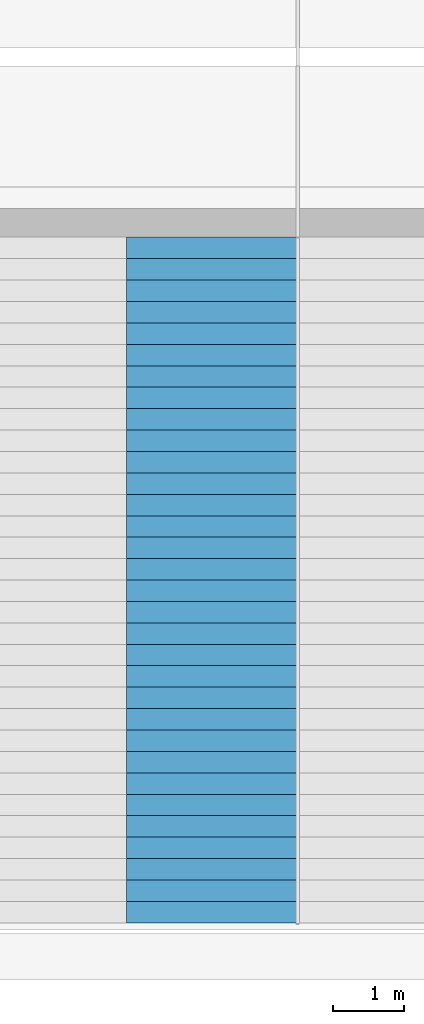
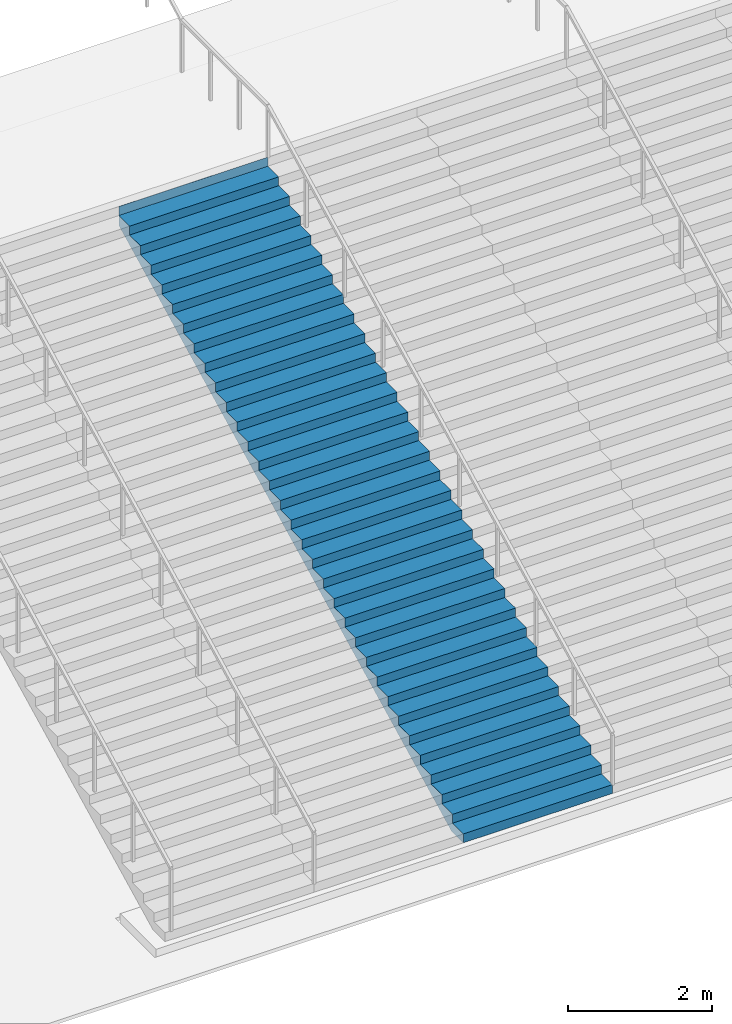
# One storey, part 32 of 57: 1 stair flight, 1 element without a shape of its own.
"""IFC4 building model written with IfcOpenShell, lengths in metres."""

from ifc_helpers import new_model, si_unit, direction, frame, origin, place, context, subcontext, project, spatial, triangles, material, type_object, element, aggregate, save


model = new_model("IFC4")

# Units and contexts
model_context = context("Model", 3, precision=1e-05, world=origin(), true_north=direction((0.0, 1.0)))
body_context = subcontext(model_context, "Body", "Model", "MODEL_VIEW")
ifc_project = project(units=[si_unit("LENGTHUNIT", "METRE"), si_unit("AREAUNIT", "SQUARE_METRE"), si_unit("VOLUMEUNIT", "CUBIC_METRE"), si_unit("PLANEANGLEUNIT", "RADIAN"), si_unit("MASSUNIT", "GRAM", prefix="KILO")], contexts=[model_context])

# Site, building, storey
site_placement = place(None, origin())
site = spatial("IfcSite", under=ifc_project, at=site_placement, CompositionType="ELEMENT")
building_placement = place(site_placement, origin())
building = spatial("IfcBuilding", under=site, at=building_placement, Name="Beryl Residences", CompositionType="ELEMENT")
storey_placement = place(building_placement, origin())
storey = spatial("IfcBuildingStorey", under=building, at=storey_placement, Name="L00", CompositionType="ELEMENT", Elevation=0.0)

# Stair, stair flight
ifc_material_1 = material(Name="Precast concrete C40/50", Category="concrete")
stair_type = type_object("IfcStairType", Name="GS1 garden stair", PredefinedType="STRAIGHT_RUN_STAIR", material=ifc_material_1)
stair_placement = place(storey_placement, origin())
stair = element("IfcStair", 1, at=stair_placement, inside=storey, type_object=stair_type, Name="GS1 garden stair", PredefinedType="STRAIGHT_RUN_STAIR")
ifc_material_2 = material(Name="Precast concrete C40/50", Category="concrete")
stair_flight_type = type_object("IfcStairFlightType", Name="GF1 garden stair flight", PredefinedType="STRAIGHT", material=ifc_material_2)
stair_flight_placement = place(storey_placement, frame((-6.0, -54.199951171875, 0.0), z_axis=(0.0, 0.0, 1.0), x_axis=(0.0, 1.0, 0.0)))
stair_flight = element("IfcStairFlight", 2, at=stair_flight_placement, type_object=stair_flight_type, Name="GS1 flight 3", NumberOfRisers=33, NumberOfTreads=32, PredefinedType="STRAIGHT", RiserHeight=0.151515152, TreadLength=0.3, context=body_context, shape_type="Tessellation", body=[
    triangles([(0.0, -1.199951171875, 0.0), (0.0, -0.60009765625, 0.0), (0.0, 0.0, 0.0), (0.0, 0.60009765625, 0.0), (0.0, 1.199951171875, 0.0), (0.0, -1.199951171875, 0.151611328125), (0.0, -0.60009765625, 0.151611328125), (0.0, 0.0, 0.151611328125), (0.0, 0.60009765625, 0.151611328125), (0.0, 1.199951171875, 0.151611328125), (0.300048828125, -1.199951171875, 0.151611328125), (0.300048828125, -0.60009765625, 0.151611328125), (0.300048828125, 0.0, 0.151611328125), (0.300048828125, 0.60009765625, 0.151611328125), (0.300048828125, 1.199951171875, 0.151611328125), (0.300048828125, -1.199951171875, 0.302978515625), (0.300048828125, -0.60009765625, 0.302978515625), (0.300048828125, 0.0, 0.302978515625), (0.300048828125, 0.60009765625, 0.302978515625), (0.300048828125, 1.199951171875, 0.302978515625), (0.60009765625, -1.199951171875, 0.302978515625), (0.60009765625, -0.60009765625, 0.302978515625), (0.60009765625, 0.0, 0.302978515625), (0.60009765625, 0.60009765625, 0.302978515625), (0.60009765625, 1.199951171875, 0.302978515625), (0.60009765625, -1.199951171875, 0.45458984375), (0.60009765625, -0.60009765625, 0.45458984375), (0.60009765625, 0.0, 0.45458984375), (0.60009765625, 0.60009765625, 0.45458984375), (0.60009765625, 1.199951171875, 0.45458984375), (0.89990234375, -1.199951171875, 0.45458984375), (0.89990234375, -0.60009765625, 0.45458984375), (0.89990234375, 0.0, 0.45458984375), (0.89990234375, 0.60009765625, 0.45458984375), (0.89990234375, 1.199951171875, 0.45458984375), (0.89990234375, -1.199951171875, 0.60595703125), (0.89990234375, -0.60009765625, 0.60595703125), (0.89990234375, 0.0, 0.60595703125), (0.89990234375, 0.60009765625, 0.60595703125), (0.89990234375, 1.199951171875, 0.60595703125), (1.199951171875, -1.199951171875, 0.60595703125), (1.199951171875, -0.60009765625, 0.60595703125), (1.199951171875, 0.0, 0.60595703125), (1.199951171875, 0.60009765625, 0.60595703125), (1.199951171875, 1.199951171875, 0.60595703125), (1.199951171875, -1.199951171875, 0.757568359375), (1.199951171875, -0.60009765625, 0.757568359375), (1.199951171875, 0.0, 0.757568359375), (1.199951171875, 0.60009765625, 0.757568359375), (1.199951171875, 1.199951171875, 0.757568359375), (1.5, -1.199951171875, 0.757568359375), (1.5, -0.60009765625, 0.757568359375), (1.5, 0.0, 0.757568359375), (1.5, 0.60009765625, 0.757568359375), (1.5, 1.199951171875, 0.757568359375), (1.5, -1.199951171875, 0.9091796875), (1.5, -0.60009765625, 0.9091796875), (1.5, 0.0, 0.9091796875), (1.5, 0.60009765625, 0.9091796875), (1.5, 1.199951171875, 0.9091796875), (1.800048828125, -1.199951171875, 0.9091796875), (1.800048828125, -0.60009765625, 0.9091796875), (1.800048828125, 0.0, 0.9091796875), (1.800048828125, 0.60009765625, 0.9091796875), (1.800048828125, 1.199951171875, 0.9091796875), (1.800048828125, -1.199951171875, 1.060546875), (1.800048828125, -0.60009765625, 1.060546875), (1.800048828125, 0.0, 1.060546875), (1.800048828125, 0.60009765625, 1.060546875), (1.800048828125, 1.199951171875, 1.060546875), (2.10009765625, -1.199951171875, 1.060546875), (2.10009765625, -0.60009765625, 1.060546875), (2.10009765625, 0.0, 1.060546875), (2.10009765625, 0.60009765625, 1.060546875), (2.10009765625, 1.199951171875, 1.060546875), (2.10009765625, -1.199951171875, 1.212158203125), (2.10009765625, -0.60009765625, 1.212158203125), (2.10009765625, 0.0, 1.212158203125), (2.10009765625, 0.60009765625, 1.212158203125), (2.10009765625, 1.199951171875, 1.212158203125), (2.39990234375, -1.199951171875, 1.212158203125), (2.39990234375, -0.60009765625, 1.212158203125), (2.39990234375, 0.0, 1.212158203125), (2.39990234375, 0.60009765625, 1.212158203125), (2.39990234375, 1.199951171875, 1.212158203125), (2.39990234375, -1.199951171875, 1.363525390625), (2.39990234375, -0.60009765625, 1.363525390625), (2.39990234375, 0.0, 1.363525390625), (2.39990234375, 0.60009765625, 1.363525390625), (2.39990234375, 1.199951171875, 1.363525390625), (2.699951171875, -1.199951171875, 1.363525390625), (2.699951171875, -0.60009765625, 1.363525390625), (2.699951171875, 0.0, 1.363525390625), (2.699951171875, 0.60009765625, 1.363525390625), (2.699951171875, 1.199951171875, 1.363525390625), (2.699951171875, -1.199951171875, 1.51513671875), (2.699951171875, -0.60009765625, 1.51513671875), (2.699951171875, 0.0, 1.51513671875), (2.699951171875, 0.60009765625, 1.51513671875), (2.699951171875, 1.199951171875, 1.51513671875), (3.0, -1.199951171875, 1.51513671875), (3.0, -0.60009765625, 1.51513671875), (3.0, 0.0, 1.51513671875), (3.0, 0.60009765625, 1.51513671875), (3.0, 1.199951171875, 1.51513671875), (3.0, -1.199951171875, 1.666748046875), (3.0, -0.60009765625, 1.666748046875), (3.0, 0.0, 1.666748046875), (3.0, 0.60009765625, 1.666748046875), (3.0, 1.199951171875, 1.666748046875), (3.300048828125, -1.199951171875, 1.666748046875), (3.300048828125, -0.60009765625, 1.666748046875), (3.300048828125, 0.0, 1.666748046875), (3.300048828125, 0.60009765625, 1.666748046875), (3.300048828125, 1.199951171875, 1.666748046875), (3.300048828125, -1.199951171875, 1.818115234375), (3.300048828125, -0.60009765625, 1.818115234375), (3.300048828125, 0.0, 1.818115234375), (3.300048828125, 0.60009765625, 1.818115234375), (3.300048828125, 1.199951171875, 1.818115234375), (3.60009765625, -1.199951171875, 1.818115234375), (3.60009765625, -0.60009765625, 1.818115234375), (3.60009765625, 0.0, 1.818115234375), (3.60009765625, 0.60009765625, 1.818115234375), (3.60009765625, 1.199951171875, 1.818115234375), (3.60009765625, -1.199951171875, 1.9697265625), (3.60009765625, -0.60009765625, 1.9697265625), (3.60009765625, 0.0, 1.9697265625), (3.60009765625, 0.60009765625, 1.9697265625), (3.60009765625, 1.199951171875, 1.9697265625), (3.89990234375, -1.199951171875, 1.9697265625), (3.89990234375, -0.60009765625, 1.9697265625), (3.89990234375, 0.0, 1.9697265625), (3.89990234375, 0.60009765625, 1.9697265625), (3.89990234375, 1.199951171875, 1.9697265625), (3.89990234375, -1.199951171875, 2.12109375), (3.89990234375, -0.60009765625, 2.12109375), (3.89990234375, 0.0, 2.12109375), (3.89990234375, 0.60009765625, 2.12109375), (3.89990234375, 1.199951171875, 2.12109375), (4.199951171875, -1.199951171875, 2.12109375), (4.199951171875, -0.60009765625, 2.12109375), (4.199951171875, 0.0, 2.12109375), (4.199951171875, 0.60009765625, 2.12109375), (4.199951171875, 1.199951171875, 2.12109375), (4.199951171875, -1.199951171875, 2.272705078125), (4.199951171875, -0.60009765625, 2.272705078125), (4.199951171875, 0.0, 2.272705078125), (4.199951171875, 0.60009765625, 2.272705078125), (4.199951171875, 1.199951171875, 2.272705078125), (4.5, -1.199951171875, 2.272705078125), (4.5, -0.60009765625, 2.272705078125), (4.5, 0.0, 2.272705078125), (4.5, 0.60009765625, 2.272705078125), (4.5, 1.199951171875, 2.272705078125), (4.5, -1.199951171875, 2.42431640625), (4.5, -0.60009765625, 2.42431640625), (4.5, 0.0, 2.42431640625), (4.5, 0.60009765625, 2.42431640625), (4.5, 1.199951171875, 2.42431640625), (4.800048828125, -1.199951171875, 2.42431640625), (4.800048828125, -0.60009765625, 2.42431640625), (4.800048828125, 0.0, 2.42431640625), (4.800048828125, 0.60009765625, 2.42431640625), (4.800048828125, 1.199951171875, 2.42431640625), (4.800048828125, -1.199951171875, 2.57568359375), (4.800048828125, -0.60009765625, 2.57568359375), (4.800048828125, 0.0, 2.57568359375), (4.800048828125, 0.60009765625, 2.57568359375), (4.800048828125, 1.199951171875, 2.57568359375), (5.10009765625, -1.199951171875, 2.57568359375), (5.10009765625, -0.60009765625, 2.57568359375), (5.10009765625, 0.0, 2.57568359375), (5.10009765625, 0.60009765625, 2.57568359375), (5.10009765625, 1.199951171875, 2.57568359375), (5.10009765625, -1.199951171875, 2.727294921875), (5.10009765625, -0.60009765625, 2.727294921875), (5.10009765625, 0.0, 2.727294921875), (5.10009765625, 0.60009765625, 2.727294921875), (5.10009765625, 1.199951171875, 2.727294921875), (5.39990234375, -1.199951171875, 2.727294921875), (5.39990234375, -0.60009765625, 2.727294921875), (5.39990234375, 0.0, 2.727294921875), (5.39990234375, 0.60009765625, 2.727294921875), (5.39990234375, 1.199951171875, 2.727294921875), (5.39990234375, -1.199951171875, 2.87890625), (5.39990234375, -0.60009765625, 2.87890625), (5.39990234375, 0.0, 2.87890625), (5.39990234375, 0.60009765625, 2.87890625), (5.39990234375, 1.199951171875, 2.87890625), (5.699951171875, -1.199951171875, 2.87890625), (5.699951171875, -0.60009765625, 2.87890625), (5.699951171875, 0.0, 2.87890625), (5.699951171875, 0.60009765625, 2.87890625), (5.699951171875, 1.199951171875, 2.87890625), (5.699951171875, -1.199951171875, 3.0302734375), (5.699951171875, -0.60009765625, 3.0302734375), (5.699951171875, 0.0, 3.0302734375), (5.699951171875, 0.60009765625, 3.0302734375), (5.699951171875, 1.199951171875, 3.0302734375), (6.0, -1.199951171875, 3.0302734375), (6.0, -0.60009765625, 3.0302734375), (6.0, 0.0, 3.0302734375), (6.0, 0.60009765625, 3.0302734375), (6.0, 1.199951171875, 3.0302734375), (6.0, -1.199951171875, 3.181884765625), (6.0, -0.60009765625, 3.181884765625), (6.0, 0.0, 3.181884765625), (6.0, 0.60009765625, 3.181884765625), (6.0, 1.199951171875, 3.181884765625), (6.300048828125, -1.199951171875, 3.181884765625), (6.300048828125, -0.60009765625, 3.181884765625), (6.300048828125, 0.0, 3.181884765625), (6.300048828125, 0.60009765625, 3.181884765625), (6.300048828125, 1.199951171875, 3.181884765625), (6.300048828125, -1.199951171875, 3.333251953125), (6.300048828125, -0.60009765625, 3.333251953125), (6.300048828125, 0.0, 3.333251953125), (6.300048828125, 0.60009765625, 3.333251953125), (6.300048828125, 1.199951171875, 3.333251953125), (6.60009765625, -1.199951171875, 3.333251953125), (6.60009765625, -0.60009765625, 3.333251953125), (6.60009765625, 0.0, 3.333251953125), (6.60009765625, 0.60009765625, 3.333251953125), (6.60009765625, 1.199951171875, 3.333251953125), (6.60009765625, -1.199951171875, 3.48486328125), (6.60009765625, -0.60009765625, 3.48486328125), (6.60009765625, 0.0, 3.48486328125), (6.60009765625, 0.60009765625, 3.48486328125), (6.60009765625, 1.199951171875, 3.48486328125), (6.89990234375, -1.199951171875, 3.48486328125), (6.89990234375, -0.60009765625, 3.48486328125), (6.89990234375, 0.0, 3.48486328125), (6.89990234375, 0.60009765625, 3.48486328125), (6.89990234375, 1.199951171875, 3.48486328125), (6.89990234375, -1.199951171875, 3.636474609375), (6.89990234375, -0.60009765625, 3.636474609375), (6.89990234375, 0.0, 3.636474609375), (6.89990234375, 0.60009765625, 3.636474609375), (6.89990234375, 1.199951171875, 3.636474609375), (7.199951171875, -1.199951171875, 3.636474609375), (7.199951171875, -0.60009765625, 3.636474609375), (7.199951171875, 0.0, 3.636474609375), (7.199951171875, 0.60009765625, 3.636474609375), (7.199951171875, 1.199951171875, 3.636474609375), (7.199951171875, -1.199951171875, 3.787841796875), (7.199951171875, -0.60009765625, 3.787841796875), (7.199951171875, 0.0, 3.787841796875), (7.199951171875, 0.60009765625, 3.787841796875), (7.199951171875, 1.199951171875, 3.787841796875), (7.5, -1.199951171875, 3.787841796875), (7.5, -0.60009765625, 3.787841796875), (7.5, 0.0, 3.787841796875), (7.5, 0.60009765625, 3.787841796875), (7.5, 1.199951171875, 3.787841796875), (7.5, -1.199951171875, 3.939453125), (7.5, -0.60009765625, 3.939453125), (7.5, 0.0, 3.939453125), (7.5, 0.60009765625, 3.939453125), (7.5, 1.199951171875, 3.939453125), (7.800048828125, -1.199951171875, 3.939453125), (7.800048828125, -0.60009765625, 3.939453125), (7.800048828125, 0.0, 3.939453125), (7.800048828125, 0.60009765625, 3.939453125), (7.800048828125, 1.199951171875, 3.939453125), (7.800048828125, -1.199951171875, 4.0908203125), (7.800048828125, -0.60009765625, 4.0908203125), (7.800048828125, 0.0, 4.0908203125), (7.800048828125, 0.60009765625, 4.0908203125), (7.800048828125, 1.199951171875, 4.0908203125), (8.10009765625, -1.199951171875, 4.0908203125), (8.10009765625, -0.60009765625, 4.0908203125), (8.10009765625, 0.0, 4.0908203125), (8.10009765625, 0.60009765625, 4.0908203125), (8.10009765625, 1.199951171875, 4.0908203125), (8.10009765625, -1.199951171875, 4.242431640625), (8.10009765625, -0.60009765625, 4.242431640625), (8.10009765625, 0.0, 4.242431640625), (8.10009765625, 0.60009765625, 4.242431640625), (8.10009765625, 1.199951171875, 4.242431640625), (8.39990234375, -1.199951171875, 4.242431640625), (8.39990234375, -0.60009765625, 4.242431640625), (8.39990234375, 0.0, 4.242431640625), (8.39990234375, 0.60009765625, 4.242431640625), (8.39990234375, 1.199951171875, 4.242431640625), (8.39990234375, -1.199951171875, 4.39404296875), (8.39990234375, -0.60009765625, 4.39404296875), (8.39990234375, 0.0, 4.39404296875), (8.39990234375, 0.60009765625, 4.39404296875), (8.39990234375, 1.199951171875, 4.39404296875), (8.699951171875, -1.199951171875, 4.39404296875), (8.699951171875, -0.60009765625, 4.39404296875), (8.699951171875, 0.0, 4.39404296875), (8.699951171875, 0.60009765625, 4.39404296875), (8.699951171875, 1.199951171875, 4.39404296875), (8.699951171875, -1.199951171875, 4.54541015625), (8.699951171875, -0.60009765625, 4.54541015625), (8.699951171875, 0.0, 4.54541015625), (8.699951171875, 0.60009765625, 4.54541015625), (8.699951171875, 1.199951171875, 4.54541015625), (9.0, -1.199951171875, 4.54541015625), (9.0, -0.60009765625, 4.54541015625), (9.0, 0.0, 4.54541015625), (9.0, 0.60009765625, 4.54541015625), (9.0, 1.199951171875, 4.54541015625), (9.0, -1.199951171875, 4.697021484375), (9.0, -0.60009765625, 4.697021484375), (9.0, 0.0, 4.697021484375), (9.0, 0.60009765625, 4.697021484375), (9.0, 1.199951171875, 4.697021484375), (9.300048828125, -1.199951171875, 4.697021484375), (9.300048828125, -0.60009765625, 4.697021484375), (9.300048828125, 0.0, 4.697021484375), (9.300048828125, 0.60009765625, 4.697021484375), (9.300048828125, 1.199951171875, 4.697021484375), (9.300048828125, -1.199951171875, 4.848388671875), (9.300048828125, -0.60009765625, 4.848388671875), (9.300048828125, 0.0, 4.848388671875), (9.300048828125, 0.60009765625, 4.848388671875), (9.300048828125, 1.199951171875, 4.848388671875), (9.60009765625, -1.199951171875, 4.848388671875), (9.60009765625, -0.60009765625, 4.848388671875), (9.60009765625, 0.0, 4.848388671875), (9.60009765625, 0.60009765625, 4.848388671875), (9.60009765625, 1.199951171875, 4.848388671875), (9.60009765625, -1.199951171875, 5.0), (9.60009765625, -0.60009765625, 5.0), (9.60009765625, 0.0, 5.0), (9.60009765625, 0.60009765625, 5.0), (9.60009765625, 1.199951171875, 5.0), (9.60107421875, -1.199951171875, 5.0), (9.60107421875, -0.60009765625, 5.0), (9.60107421875, 0.0, 5.0), (9.60107421875, 0.60009765625, 5.0), (9.60107421875, 1.199951171875, 5.0), (9.60107421875, -1.199951171875, 4.6806640625), (9.60107421875, -0.60009765625, 4.6806640625), (9.60107421875, 0.0, 4.6806640625), (9.60107421875, 0.60009765625, 4.6806640625), (9.60107421875, 1.199951171875, 4.6806640625), (0.33349609375, -1.199951171875, 0.0), (0.33349609375, -0.60009765625, 0.0), (0.33349609375, 0.0, 0.0), (0.33349609375, 0.60009765625, 0.0), (0.33349609375, 1.199951171875, 0.0)], [[1, 6, 7], [1, 7, 2], [2, 7, 8], [2, 8, 3], [3, 8, 9], [3, 9, 4], [4, 9, 10], [4, 10, 5], [6, 11, 12], [6, 12, 7], [7, 12, 13], [7, 13, 8], [8, 13, 14], [8, 14, 9], [9, 14, 15], [9, 15, 10], [11, 16, 17], [11, 17, 12], [12, 17, 18], [12, 18, 13], [13, 18, 19], [13, 19, 14], [14, 19, 20], [14, 20, 15], [16, 21, 22], [16, 22, 17], [17, 22, 23], [17, 23, 18], [18, 23, 24], [18, 24, 19], [19, 24, 25], [19, 25, 20], [21, 26, 27], [21, 27, 22], [22, 27, 28], [22, 28, 23], [23, 28, 29], [23, 29, 24], [24, 29, 30], [24, 30, 25], [26, 31, 32], [26, 32, 27], [27, 32, 33], [27, 33, 28], [28, 33, 34], [28, 34, 29], [29, 34, 35], [29, 35, 30], [31, 36, 37], [31, 37, 32], [32, 37, 38], [32, 38, 33], [33, 38, 39], [33, 39, 34], [34, 39, 40], [34, 40, 35], [36, 41, 42], [36, 42, 37], [37, 42, 43], [37, 43, 38], [38, 43, 44], [38, 44, 39], [39, 44, 45], [39, 45, 40], [41, 46, 47], [41, 47, 42], [42, 47, 48], [42, 48, 43], [43, 48, 49], [43, 49, 44], [44, 49, 50], [44, 50, 45], [46, 51, 52], [46, 52, 47], [47, 52, 53], [47, 53, 48], [48, 53, 54], [48, 54, 49], [49, 54, 55], [49, 55, 50], [51, 56, 57], [51, 57, 52], [52, 57, 58], [52, 58, 53], [53, 58, 59], [53, 59, 54], [54, 59, 60], [54, 60, 55], [56, 61, 62], [56, 62, 57], [57, 62, 63], [57, 63, 58], [58, 63, 64], [58, 64, 59], [59, 64, 65], [59, 65, 60], [61, 66, 67], [61, 67, 62], [62, 67, 68], [62, 68, 63], [63, 68, 69], [63, 69, 64], [64, 69, 70], [64, 70, 65], [66, 71, 72], [66, 72, 67], [67, 72, 73], [67, 73, 68], [68, 73, 74], [68, 74, 69], [69, 74, 75], [69, 75, 70], [71, 76, 77], [71, 77, 72], [72, 77, 78], [72, 78, 73], [73, 78, 79], [73, 79, 74], [74, 79, 80], [74, 80, 75], [76, 81, 82], [76, 82, 77], [77, 82, 83], [77, 83, 78], [78, 83, 84], [78, 84, 79], [79, 84, 85], [79, 85, 80], [81, 86, 87], [81, 87, 82], [82, 87, 88], [82, 88, 83], [83, 88, 89], [83, 89, 84], [84, 89, 90], [84, 90, 85], [86, 91, 92], [86, 92, 87], [87, 92, 93], [87, 93, 88], [88, 93, 94], [88, 94, 89], [89, 94, 95], [89, 95, 90], [91, 96, 97], [91, 97, 92], [92, 97, 98], [92, 98, 93], [93, 98, 99], [93, 99, 94], [94, 99, 100], [94, 100, 95], [96, 101, 102], [96, 102, 97], [97, 102, 103], [97, 103, 98], [98, 103, 104], [98, 104, 99], [99, 104, 105], [99, 105, 100], [101, 106, 107], [101, 107, 102], [102, 107, 108], [102, 108, 103], [103, 108, 109], [103, 109, 104], [104, 109, 110], [104, 110, 105], [106, 111, 112], [106, 112, 107], [107, 112, 113], [107, 113, 108], [108, 113, 114], [108, 114, 109], [109, 114, 115], [109, 115, 110], [111, 116, 117], [111, 117, 112], [112, 117, 118], [112, 118, 113], [113, 118, 119], [113, 119, 114], [114, 119, 120], [114, 120, 115], [116, 121, 122], [116, 122, 117], [117, 122, 123], [117, 123, 118], [118, 123, 124], [118, 124, 119], [119, 124, 125], [119, 125, 120], [121, 126, 127], [121, 127, 122], [122, 127, 128], [122, 128, 123], [123, 128, 129], [123, 129, 124], [124, 129, 130], [124, 130, 125], [126, 131, 132], [126, 132, 127], [127, 132, 133], [127, 133, 128], [128, 133, 134], [128, 134, 129], [129, 134, 135], [129, 135, 130], [131, 136, 137], [131, 137, 132], [132, 137, 138], [132, 138, 133], [133, 138, 139], [133, 139, 134], [134, 139, 140], [134, 140, 135], [136, 141, 142], [136, 142, 137], [137, 142, 143], [137, 143, 138], [138, 143, 144], [138, 144, 139], [139, 144, 145], [139, 145, 140], [141, 146, 147], [141, 147, 142], [142, 147, 148], [142, 148, 143], [143, 148, 149], [143, 149, 144], [144, 149, 150], [144, 150, 145], [146, 151, 152], [146, 152, 147], [147, 152, 153], [147, 153, 148], [148, 153, 154], [148, 154, 149], [149, 154, 155], [149, 155, 150], [151, 156, 157], [151, 157, 152], [152, 157, 158], [152, 158, 153], [153, 158, 159], [153, 159, 154], [154, 159, 160], [154, 160, 155], [156, 161, 162], [156, 162, 157], [157, 162, 163], [157, 163, 158], [158, 163, 164], [158, 164, 159], [159, 164, 165], [159, 165, 160], [161, 166, 167], [161, 167, 162], [162, 167, 168], [162, 168, 163], [163, 168, 169], [163, 169, 164], [164, 169, 170], [164, 170, 165], [166, 171, 172], [166, 172, 167], [167, 172, 173], [167, 173, 168], [168, 173, 174], [168, 174, 169], [169, 174, 175], [169, 175, 170], [171, 176, 177], [171, 177, 172], [172, 177, 178], [172, 178, 173], [173, 178, 179], [173, 179, 174], [174, 179, 180], [174, 180, 175], [176, 181, 182], [176, 182, 177], [177, 182, 183], [177, 183, 178], [178, 183, 184], [178, 184, 179], [179, 184, 185], [179, 185, 180], [181, 186, 187], [181, 187, 182], [182, 187, 188], [182, 188, 183], [183, 188, 189], [183, 189, 184], [184, 189, 190], [184, 190, 185], [186, 191, 192], [186, 192, 187], [187, 192, 193], [187, 193, 188], [188, 193, 194], [188, 194, 189], [189, 194, 195], [189, 195, 190], [191, 196, 197], [191, 197, 192], [192, 197, 198], [192, 198, 193], [193, 198, 199], [193, 199, 194], [194, 199, 200], [194, 200, 195], [196, 201, 202], [196, 202, 197], [197, 202, 203], [197, 203, 198], [198, 203, 204], [198, 204, 199], [199, 204, 205], [199, 205, 200], [201, 206, 207], [201, 207, 202], [202, 207, 208], [202, 208, 203], [203, 208, 209], [203, 209, 204], [204, 209, 210], [204, 210, 205], [206, 211, 212], [206, 212, 207], [207, 212, 213], [207, 213, 208], [208, 213, 214], [208, 214, 209], [209, 214, 215], [209, 215, 210], [211, 216, 217], [211, 217, 212], [212, 217, 218], [212, 218, 213], [213, 218, 219], [213, 219, 214], [214, 219, 220], [214, 220, 215], [216, 221, 222], [216, 222, 217], [217, 222, 223], [217, 223, 218], [218, 223, 224], [218, 224, 219], [219, 224, 225], [219, 225, 220], [221, 226, 227], [221, 227, 222], [222, 227, 228], [222, 228, 223], [223, 228, 229], [223, 229, 224], [224, 229, 230], [224, 230, 225], [226, 231, 232], [226, 232, 227], [227, 232, 233], [227, 233, 228], [228, 233, 234], [228, 234, 229], [229, 234, 235], [229, 235, 230], [231, 236, 237], [231, 237, 232], [232, 237, 238], [232, 238, 233], [233, 238, 239], [233, 239, 234], [234, 239, 240], [234, 240, 235], [236, 241, 242], [236, 242, 237], [237, 242, 243], [237, 243, 238], [238, 243, 244], [238, 244, 239], [239, 244, 245], [239, 245, 240], [241, 246, 247], [241, 247, 242], [242, 247, 248], [242, 248, 243], [243, 248, 249], [243, 249, 244], [244, 249, 250], [244, 250, 245], [246, 251, 252], [246, 252, 247], [247, 252, 253], [247, 253, 248], [248, 253, 254], [248, 254, 249], [249, 254, 255], [249, 255, 250], [251, 256, 257], [251, 257, 252], [252, 257, 258], [252, 258, 253], [253, 258, 259], [253, 259, 254], [254, 259, 260], [254, 260, 255], [256, 261, 262], [256, 262, 257], [257, 262, 263], [257, 263, 258], [258, 263, 264], [258, 264, 259], [259, 264, 265], [259, 265, 260], [261, 266, 267], [261, 267, 262], [262, 267, 268], [262, 268, 263], [263, 268, 269], [263, 269, 264], [264, 269, 270], [264, 270, 265], [266, 271, 272], [266, 272, 267], [267, 272, 273], [267, 273, 268], [268, 273, 274], [268, 274, 269], [269, 274, 275], [269, 275, 270], [271, 276, 277], [271, 277, 272], [272, 277, 278], [272, 278, 273], [273, 278, 279], [273, 279, 274], [274, 279, 280], [274, 280, 275], [276, 281, 282], [276, 282, 277], [277, 282, 283], [277, 283, 278], [278, 283, 284], [278, 284, 279], [279, 284, 285], [279, 285, 280], [281, 286, 287], [281, 287, 282], [282, 287, 288], [282, 288, 283], [283, 288, 289], [283, 289, 284], [284, 289, 290], [284, 290, 285], [286, 291, 292], [286, 292, 287], [287, 292, 293], [287, 293, 288], [288, 293, 294], [288, 294, 289], [289, 294, 295], [289, 295, 290], [291, 296, 297], [291, 297, 292], [292, 297, 298], [292, 298, 293], [293, 298, 299], [293, 299, 294], [294, 299, 300], [294, 300, 295], [296, 301, 302], [296, 302, 297], [297, 302, 303], [297, 303, 298], [298, 303, 304], [298, 304, 299], [299, 304, 305], [299, 305, 300], [301, 306, 307], [301, 307, 302], [302, 307, 308], [302, 308, 303], [303, 308, 309], [303, 309, 304], [304, 309, 310], [304, 310, 305], [306, 311, 312], [306, 312, 307], [307, 312, 313], [307, 313, 308], [308, 313, 314], [308, 314, 309], [309, 314, 315], [309, 315, 310], [311, 316, 317], [311, 317, 312], [312, 317, 318], [312, 318, 313], [313, 318, 319], [313, 319, 314], [314, 319, 320], [314, 320, 315], [316, 321, 322], [316, 322, 317], [317, 322, 323], [317, 323, 318], [318, 323, 324], [318, 324, 319], [319, 324, 325], [319, 325, 320], [321, 326, 327], [321, 327, 322], [322, 327, 328], [322, 328, 323], [323, 328, 329], [323, 329, 324], [324, 329, 330], [324, 330, 325], [326, 331, 332], [326, 332, 327], [327, 332, 333], [327, 333, 328], [328, 333, 334], [328, 334, 329], [329, 334, 335], [329, 335, 330], [331, 336, 337], [331, 337, 332], [332, 337, 338], [332, 338, 333], [333, 338, 339], [333, 339, 334], [334, 339, 340], [334, 340, 335], [336, 341, 342], [336, 342, 337], [337, 342, 343], [337, 343, 338], [338, 343, 344], [338, 344, 339], [339, 344, 345], [339, 345, 340], [341, 1, 2], [341, 2, 342], [342, 2, 3], [342, 3, 343], [343, 3, 4], [343, 4, 344], [344, 4, 5], [344, 5, 345], [1, 341, 336], [5, 340, 345], [336, 331, 326], [340, 330, 335], [336, 326, 321], [340, 325, 330], [336, 321, 316], [340, 320, 325], [336, 316, 311], [340, 315, 320], [336, 311, 306], [340, 310, 315], [336, 306, 301], [340, 305, 310], [301, 296, 291], [305, 295, 300], [336, 301, 291], [340, 295, 305], [291, 286, 281], [295, 285, 290], [336, 291, 281], [340, 285, 295], [281, 276, 271], [285, 275, 280], [336, 281, 271], [340, 275, 285], [271, 266, 261], [275, 265, 270], [336, 271, 261], [340, 265, 275], [261, 256, 251], [265, 255, 260], [336, 261, 251], [340, 255, 265], [251, 246, 241], [255, 245, 250], [336, 251, 241], [340, 245, 255], [241, 236, 231], [245, 235, 240], [336, 241, 231], [340, 235, 245], [231, 226, 221], [235, 225, 230], [336, 231, 221], [340, 225, 235], [221, 216, 211], [225, 215, 220], [336, 221, 211], [340, 215, 225], [211, 206, 201], [215, 205, 210], [336, 211, 201], [340, 205, 215], [201, 196, 191], [205, 195, 200], [336, 201, 191], [340, 195, 205], [191, 186, 181], [195, 185, 190], [336, 191, 181], [340, 185, 195], [181, 176, 171], [185, 175, 180], [336, 181, 171], [340, 175, 185], [171, 166, 161], [175, 165, 170], [336, 171, 161], [340, 165, 175], [161, 156, 151], [165, 155, 160], [336, 161, 151], [340, 155, 165], [151, 146, 141], [155, 145, 150], [336, 151, 141], [340, 145, 155], [141, 136, 131], [145, 135, 140], [336, 141, 131], [340, 135, 145], [131, 126, 121], [135, 125, 130], [336, 131, 121], [340, 125, 135], [121, 116, 111], [125, 115, 120], [336, 121, 111], [340, 115, 125], [111, 106, 101], [115, 105, 110], [336, 111, 101], [340, 105, 115], [101, 96, 91], [105, 95, 100], [336, 101, 91], [340, 95, 105], [91, 86, 81], [95, 85, 90], [336, 91, 81], [340, 85, 95], [81, 76, 71], [85, 75, 80], [336, 81, 71], [340, 75, 85], [71, 66, 61], [75, 65, 70], [336, 71, 61], [340, 65, 75], [61, 56, 51], [65, 55, 60], [336, 61, 51], [340, 55, 65], [51, 46, 41], [55, 45, 50], [336, 51, 41], [340, 45, 55], [41, 36, 31], [45, 35, 40], [336, 41, 31], [340, 35, 45], [31, 26, 21], [35, 25, 30], [336, 31, 21], [340, 25, 35], [1, 336, 21], [5, 25, 340], [21, 16, 11], [25, 15, 20], [1, 21, 11], [5, 15, 25], [11, 6, 1], [15, 5, 10]], closed=True),
])
aggregate(stair, [stair_flight])

save(model, "model.ifc")
